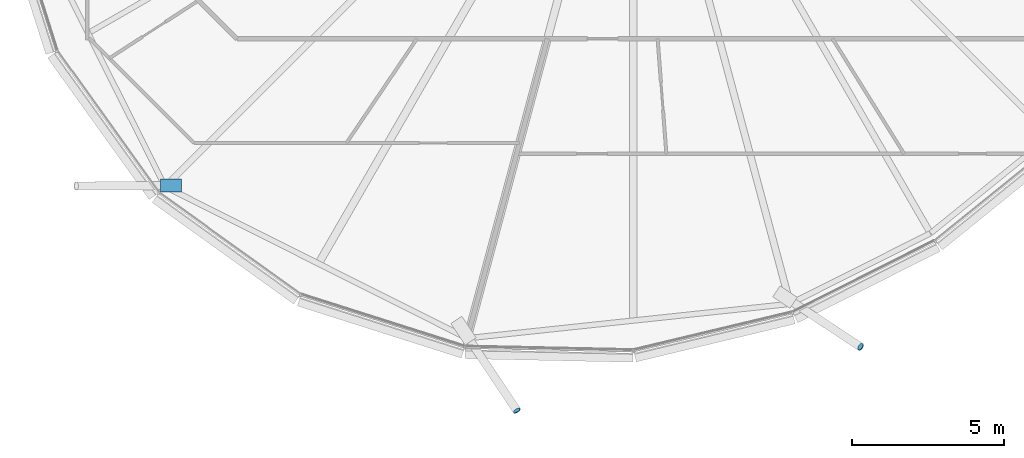
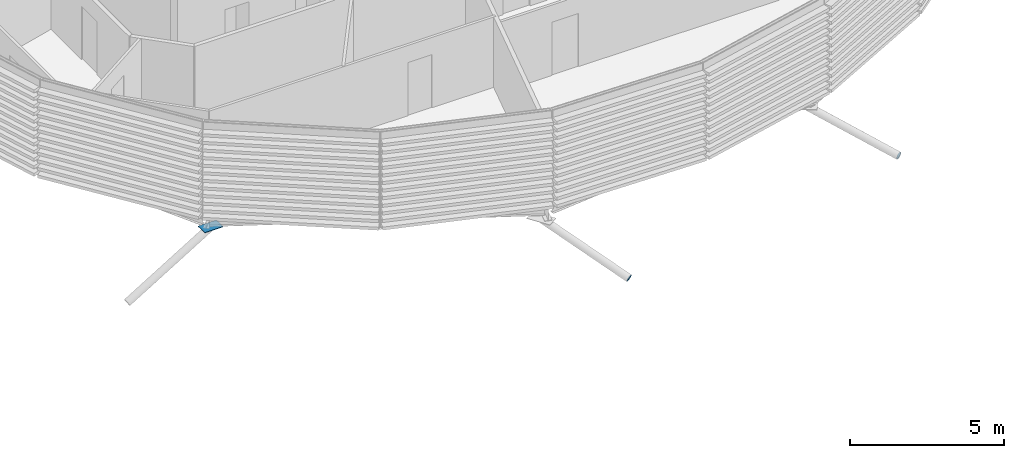
# One storey, part 29 of 36: 3 discrete accessories.
"""IFC4 building model written with IfcOpenShell, lengths in metres."""

from ifc_helpers import new_model, si_unit, direction, frame, origin, origin_2d, place, context, subcontext, project, spatial, polyline, rectangle, circle, outline, extrude, material, material_profile, profile_set, type_object, element, save


model = new_model("IFC4")

# Units and contexts
model_context = context("Model", 3, precision=1e-05, world=origin(), true_north=direction((0.0, 1.0)))
body_context = subcontext(model_context, "Body", "Model", "MODEL_VIEW")
ifc_project = project(units=[si_unit("LENGTHUNIT", "METRE"), si_unit("AREAUNIT", "SQUARE_METRE"), si_unit("VOLUMEUNIT", "CUBIC_METRE"), si_unit("PLANEANGLEUNIT", "RADIAN"), si_unit("MASSUNIT", "GRAM", prefix="KILO")], contexts=[model_context])

# Site, building, storey
site_placement = place(None, origin())
site = spatial("IfcSite", under=ifc_project, at=site_placement, CompositionType="ELEMENT")
building_placement = place(site_placement, origin())
building = spatial("IfcBuilding", under=site, at=building_placement, Name="Rimbun Link Towers", CompositionType="ELEMENT")
storey_placement = place(building_placement, frame((0.0, 0.0, 37.60009765625)))
storey = spatial("IfcBuildingStorey", under=building, at=storey_placement, Name="L08", CompositionType="ELEMENT", Elevation=37.60009765625)

# Discrete accessories
ifc_material_1 = material(Name="Steel S355J2H", Category="steel")
ifc_material_profile_1 = material_profile(ifc_material_1, circle(Radius=0.1240234375, at=origin_2d()), Name="PL D248")
ifc_profile_set_1 = profile_set([ifc_material_profile_1], Name="Steel S355J2H")
discrete_accessory_type_1 = type_object("IfcDiscreteAccessoryType", Name="Link foot sealing plate D248X20", PredefinedType="BRACKET", material=ifc_profile_set_1)
for number, where, z_axis, x_axis, name in (
    (1, (27.92138671875, -22.741455078125, -2.22900390625), (0.513226580635, -0.757620190461, -0.403249456213), (0.827918690488, 0.56084814517, 0.0), "Link foot sealing plate T2 L08 14"),
    (2, (39.21337890625, -20.6484375, -2.614501953125), (0.716851858441, -0.461701196962, -0.522451354457), (0.541477579908, 0.840715189857, 0.0), "Link foot sealing plate T2 L08 16"),
):
    element("IfcDiscreteAccessory", number, at=place(storey_placement, frame(where, z_axis=z_axis, x_axis=x_axis)), inside=storey, type_object=discrete_accessory_type_1, Name=name, PredefinedType="BRACKET", context=body_context, shape_type="SweptSolid", body=[
        extrude(circle(Radius=0.1240234375, at=origin_2d()), origin(), (0.0, 0.0, 1.0), 0.02001953125),
    ])
ifc_material_2 = material(Name="Steel S355J2H", Category="steel")
ifc_material_profile_2 = material_profile(ifc_material_2, rectangle(XDim=0.43310546875, YDim=0.43310546875, at=origin_2d()), Name="PL 433x433")
ifc_profile_set_2 = profile_set([ifc_material_profile_2], Name="Steel S355J2H")
discrete_accessory_type_2 = type_object("IfcDiscreteAccessoryType", Name="Link head end plate 433X20", PredefinedType="BRACKET", material=ifc_profile_set_2)
discrete_accessory_placement = place(storey_placement, frame((0.0, 0.0, -0.713134765625)))
element("IfcDiscreteAccessory", 3, at=discrete_accessory_placement, inside=storey, type_object=discrete_accessory_type_2, Name="Link head end plate T2 L08 12", PredefinedType="BRACKET", context=body_context, shape_type="SweptSolid", body=[
    extrude(outline(polyline([(16.902587890625, -15.132080078125), (16.21484375, -15.135009765625), (16.216796875, -15.568115234375), (16.904541015625, -15.565185546875), (16.902587890625, -15.132080078125)])), origin(), (0.0, 0.0, 1.0), 0.02001953125),
])

save(model, "model.ifc")
